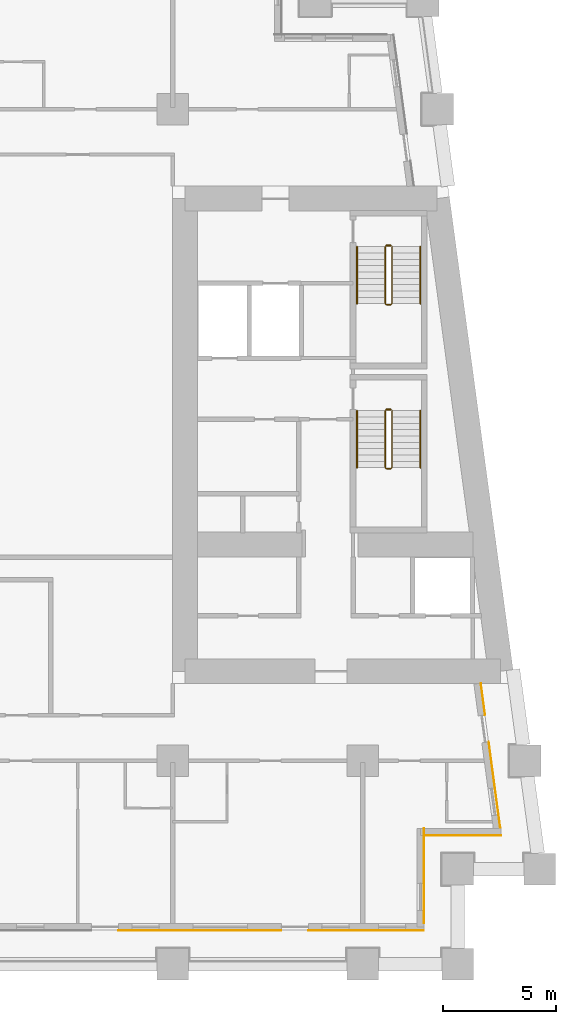
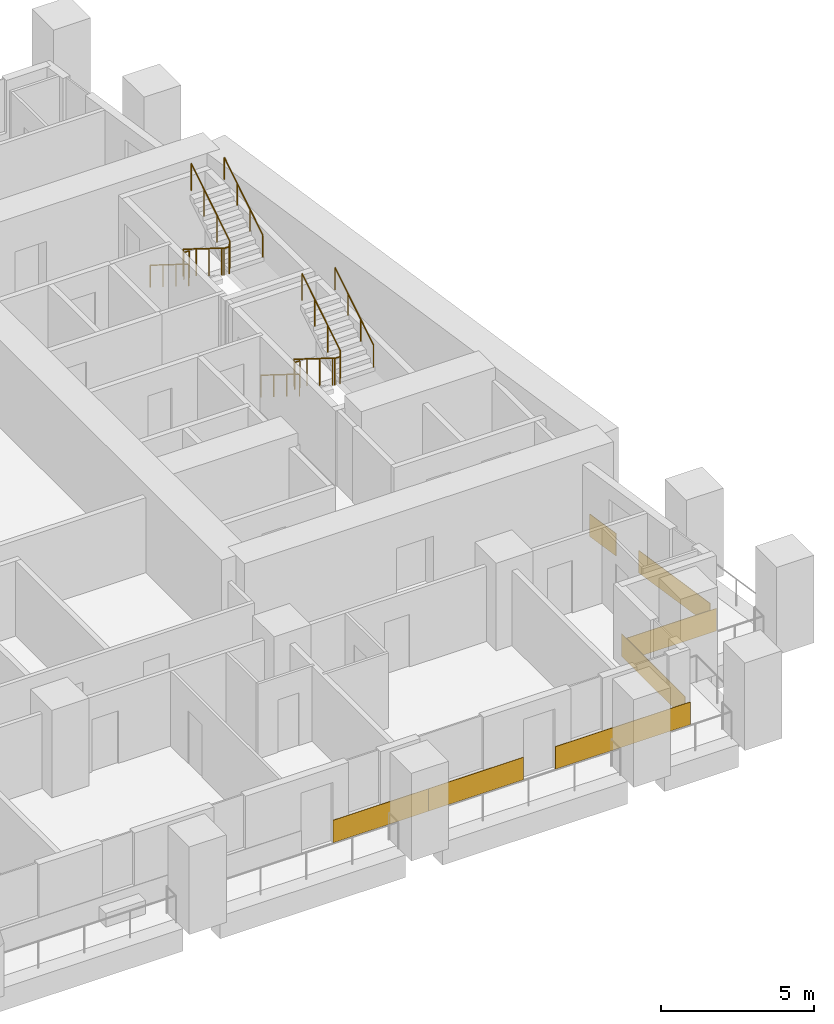
# One storey, part 10 of 12: 8 railings, 7 coverings.
"""IFC4 building model written with IfcOpenShell, lengths in metres."""

from ifc_helpers import new_model, si_unit, direction, frame, origin, origin_2d, place, context, subcontext, project, spatial, rectangle, circle, extrude, material, layer, layer_set, type_object, element, save


model = new_model("IFC4")

# Units and contexts
model_context = context("Model", 3, precision=1e-05, world=origin(), true_north=direction((0.0, 1.0)))
body_context = subcontext(model_context, "Body", "Model", "MODEL_VIEW")
ifc_project = project(units=[si_unit("LENGTHUNIT", "METRE"), si_unit("AREAUNIT", "SQUARE_METRE"), si_unit("VOLUMEUNIT", "CUBIC_METRE"), si_unit("PLANEANGLEUNIT", "RADIAN"), si_unit("MASSUNIT", "GRAM", prefix="KILO")], contexts=[model_context])

# Site, building, storey
site_placement = place(None, origin())
site = spatial("IfcSite", under=ifc_project, at=site_placement, CompositionType="ELEMENT")
building_placement = place(site_placement, origin())
building = spatial("IfcBuilding", under=site, at=building_placement, Name="Candeia Pilgrim Tower and Theatre", CompositionType="ELEMENT")
storey_placement = place(building_placement, frame((0.0, 0.0, 77.5)))
storey = spatial("IfcBuildingStorey", under=building, at=storey_placement, Name="L17", CompositionType="ELEMENT", Elevation=77.5)

# Coverings
ifc_material_1 = material(Name="Glazed ceramic tile deep red")
ifc_layer_1 = layer(ifc_material_1, 0.02001953125)
ifc_layer_set_1 = layer_set([ifc_layer_1], Name="Glazed ceramic tile deep red")
covering_type_1 = type_object("IfcCoveringType", Name="Glazed ceramic tile deep red", PredefinedType="CLADDING", material=ifc_layer_set_1)
covering_1_placement = place(storey_placement, frame((129.0, 99.489990234375, 0.0), z_axis=(0.0, 0.0, 1.0), x_axis=(1.0, 0.0, 0.0)))
element("IfcCovering", 1, at=covering_1_placement, inside=storey, type_object=covering_type_1, Name="Tile cladding deep red L17", PredefinedType="CLADDING", context=body_context, shape_type="SweptSolid", body=[
    extrude(rectangle(XDim=3.60009765625, YDim=0.02001953125, at=origin_2d()), origin(), (0.0, 0.0, 1.0), 0.89990234375),
])
covering_2_placement = place(storey_placement, frame((134.550048828125, 99.489990234375, 0.0), z_axis=(0.0, 0.0, 1.0), x_axis=(1.0, 0.0, 0.0)))
element("IfcCovering", 2, at=covering_2_placement, inside=storey, type_object=covering_type_1, Name="Tile cladding deep red L17", PredefinedType="CLADDING", context=body_context, shape_type="SweptSolid", body=[
    extrude(rectangle(XDim=5.10009765625, YDim=0.02001953125, at=origin_2d()), origin(), (0.0, 0.0, 1.0), 0.89990234375),
])
covering_3_placement = place(storey_placement, frame((137.110107421875, 101.909912109375, 0.0), z_axis=(0.0, 0.0, 1.0), x_axis=(0.0, 1.0, 0.0)))
element("IfcCovering", 3, at=covering_3_placement, inside=storey, type_object=covering_type_1, Name="Tile cladding deep red L17", PredefinedType="CLADDING", context=body_context, shape_type="SweptSolid", body=[
    extrude(rectangle(XDim=4.179931640625, YDim=0.02001953125, at=origin_2d()), origin(), (0.0, 0.0, 1.0), 0.89990234375),
])
covering_4_placement = place(storey_placement, frame((138.819580078125, 103.68994140625, 0.0), z_axis=(0.0, 0.0, 1.0), x_axis=(1.0, 0.0, 0.0)))
element("IfcCovering", 4, at=covering_4_placement, inside=storey, type_object=covering_type_1, Name="Tile cladding deep red L17", PredefinedType="CLADDING", context=body_context, shape_type="SweptSolid", body=[
    extrude(rectangle(XDim=3.399169921875, YDim=0.02001953125, at=origin_2d()), origin(), (0.0, 0.0, 1.0), 0.89990234375),
])
covering_5_placement = place(storey_placement, frame((140.228515625, 105.933349609375, 0.0), z_axis=(0.0, 0.0, 1.0), x_axis=(-0.133412012145, 0.991060661622, 0.0)))
element("IfcCovering", 5, at=covering_5_placement, inside=storey, type_object=covering_type_1, Name="Tile cladding deep red L17", PredefinedType="CLADDING", context=body_context, shape_type="SweptSolid", body=[
    extrude(rectangle(XDim=3.821044921875, YDim=0.02001953125, at=origin_2d()), origin(), (0.0, 0.0, 1.0), 0.89990234375),
])
covering_6_placement = place(storey_placement, frame((139.718994140625, 109.71875, 0.0), z_axis=(0.0, 0.0, 1.0), x_axis=(-0.133412012145, 0.991060661622, 0.0)))
element("IfcCovering", 6, at=covering_6_placement, inside=storey, type_object=covering_type_1, Name="Tile cladding deep red L17", PredefinedType="CLADDING", context=body_context, shape_type="SweptSolid", body=[
    extrude(rectangle(XDim=1.41796875, YDim=0.02001953125, at=origin_2d()), origin(), (0.0, 0.0, 1.0), 0.89990234375),
])
ifc_material_2 = material(Name="Glazed ceramic tile red")
ifc_layer_2 = layer(ifc_material_2, 0.02001953125)
ifc_layer_set_2 = layer_set([ifc_layer_2], Name="Glazed ceramic tile red")
covering_type_2 = type_object("IfcCoveringType", Name="Glazed ceramic tile red", PredefinedType="CLADDING", material=ifc_layer_set_2)
covering_7_placement = place(storey_placement, frame((125.39990234375, 99.489990234375, 0.0), z_axis=(0.0, 0.0, 1.0), x_axis=(1.0, 0.0, 0.0)))
element("IfcCovering", 7, at=covering_7_placement, inside=storey, type_object=covering_type_2, Name="Tile cladding red L17", PredefinedType="CLADDING", context=body_context, shape_type="SweptSolid", body=[
    extrude(rectangle(XDim=3.60009765625, YDim=0.02001953125, at=origin_2d()), origin(), (0.0, 0.0, 1.0), 0.89990234375),
])

# Railings
ifc_material_3 = material(Name="Stainless steel balustrade", Category="steel")
railing_type_1 = type_object("IfcRailingType", Name="RL-GUARD-1100", PredefinedType="GUARDRAIL", material=ifc_material_3)
railing_1_placement = place(storey_placement, frame((135.39794921875, 122.47509765625, 0.175048828125)))
element("IfcRailing", 8, at=railing_1_placement, inside=storey, type_object=railing_type_1, Name="L17 ST3 stair guard 1", PredefinedType="GUARDRAIL", context=body_context, shape_type="SweptSolid", body=[
    extrude(circle(Radius=0.02392578125, at=origin_2d()), frame((0.0, 0.0, 1.076171875), z_axis=(0.0, -0.848007534815, 0.529984170421), x_axis=(1.0, 0.0, 0.0)), (0.0, 0.0, 1.0), 2.9716796875),
    extrude(circle(Radius=0.02392578125, at=origin_2d()), frame((0.0, -2.52001953125, 2.65087890625), z_axis=(0.707106781187, -0.707106781187, 0.0), x_axis=(0.707106781187, 0.707106781187, 0.0)), (0.0, 0.0, 1.0), 0.07080078125),
    extrude(circle(Radius=0.02392578125, at=origin_2d()), frame((0.050048828125, -2.570068359375, 2.65087890625), z_axis=(1.0, 0.0, 0.0), x_axis=(0.0, 1.0, 0.0)), (0.0, 0.0, 1.0), 0.199951171875),
    extrude(circle(Radius=0.02392578125, at=origin_2d()), frame((0.25, -2.570068359375, 2.65087890625), z_axis=(0.265065253269, 0.265065253269, 0.927081885822), x_axis=(-0.707106781187, 0.707106781187, 0.0)), (0.0, 0.0, 1.0), 0.188720703125),
    extrude(circle(Radius=0.02392578125, at=origin_2d()), frame((0.300048828125, -2.52001953125, 2.826171875), z_axis=(0.0, 0.848007534815, 0.529984170421), x_axis=(-1.0, 0.0, 0.0)), (0.0, 0.0, 1.0), 2.9716796875),
    extrude(circle(Radius=0.02099609375, at=origin_2d()), origin(), (0.0, 0.0, 1.0), 1.052001953125),
    extrude(circle(Radius=0.02099609375, at=origin_2d()), frame((0.0, -0.840087890625, 0.52490234375)), (0.0, 0.0, 1.0), 1.052001953125),
    extrude(circle(Radius=0.02099609375, at=origin_2d()), frame((0.0, -1.679931640625, 1.050048828125)), (0.0, 0.0, 1.0), 1.052001953125),
    extrude(circle(Radius=0.02099609375, at=origin_2d()), frame((0.0, -2.52001953125, 1.574951171875)), (0.0, 0.0, 1.0), 1.052001953125),
    extrude(circle(Radius=0.02099609375, at=origin_2d()), frame((0.050048828125, -2.570068359375, 1.574951171875)), (0.0, 0.0, 1.0), 1.052001953125),
    extrude(circle(Radius=0.02099609375, at=origin_2d()), frame((0.25, -2.570068359375, 1.574951171875)), (0.0, 0.0, 1.0), 1.052001953125),
    extrude(circle(Radius=0.02099609375, at=origin_2d()), frame((0.300048828125, -2.52001953125, 1.75)), (0.0, 0.0, 1.0), 1.052001953125),
    extrude(circle(Radius=0.02099609375, at=origin_2d()), frame((0.300048828125, -1.679931640625, 2.27490234375)), (0.0, 0.0, 1.0), 1.052001953125),
    extrude(circle(Radius=0.02099609375, at=origin_2d()), frame((0.300048828125, -0.840087890625, 2.800048828125)), (0.0, 0.0, 1.0), 1.052001953125),
    extrude(circle(Radius=0.02099609375, at=origin_2d()), frame((0.300048828125, 0.0, 3.324951171875)), (0.0, 0.0, 1.0), 1.052001953125),
])
railing_2_placement = place(storey_placement, frame((135.447998046875, 122.52490234375, 0.0)))
element("IfcRailing", 9, at=railing_2_placement, inside=storey, type_object=railing_type_1, Name="L17 ST3 stair guard 2", PredefinedType="GUARDRAIL", context=body_context, shape_type="SweptSolid", body=[
    extrude(circle(Radius=0.02392578125, at=origin_2d()), frame((0.0, 0.0, 1.076171875), z_axis=(1.0, 0.0, 0.0), x_axis=(0.0, 1.0, 0.0)), (0.0, 0.0, 1.0), 0.199951171875),
    extrude(circle(Radius=0.02099609375, at=origin_2d()), origin(), (0.0, 0.0, 1.0), 1.052001953125),
    extrude(circle(Radius=0.02099609375, at=origin_2d()), frame((0.199951171875, 0.0, 0.0)), (0.0, 0.0, 1.0), 1.052001953125),
])
railing_3_placement = place(storey_placement, frame((135.39794921875, 129.72509765625, 0.175048828125)))
element("IfcRailing", 10, at=railing_3_placement, inside=storey, type_object=railing_type_1, Name="L17 ST4 stair guard 1", PredefinedType="GUARDRAIL", context=body_context, shape_type="SweptSolid", body=[
    extrude(circle(Radius=0.02392578125, at=origin_2d()), frame((0.0, 0.0, 1.076171875), z_axis=(0.0, -0.848007534815, 0.529984170421), x_axis=(1.0, 0.0, 0.0)), (0.0, 0.0, 1.0), 2.9716796875),
    extrude(circle(Radius=0.02392578125, at=origin_2d()), frame((0.0, -2.52001953125, 2.65087890625), z_axis=(0.707106781187, -0.707106781187, 0.0), x_axis=(0.707106781187, 0.707106781187, 0.0)), (0.0, 0.0, 1.0), 0.07080078125),
    extrude(circle(Radius=0.02392578125, at=origin_2d()), frame((0.050048828125, -2.570068359375, 2.65087890625), z_axis=(1.0, 0.0, 0.0), x_axis=(0.0, 1.0, 0.0)), (0.0, 0.0, 1.0), 0.199951171875),
    extrude(circle(Radius=0.02392578125, at=origin_2d()), frame((0.25, -2.570068359375, 2.65087890625), z_axis=(0.265065253269, 0.265065253269, 0.927081885822), x_axis=(-0.707106781187, 0.707106781187, 0.0)), (0.0, 0.0, 1.0), 0.188720703125),
    extrude(circle(Radius=0.02392578125, at=origin_2d()), frame((0.300048828125, -2.52001953125, 2.826171875), z_axis=(0.0, 0.848007534815, 0.529984170421), x_axis=(-1.0, 0.0, 0.0)), (0.0, 0.0, 1.0), 2.9716796875),
    extrude(circle(Radius=0.02099609375, at=origin_2d()), origin(), (0.0, 0.0, 1.0), 1.052001953125),
    extrude(circle(Radius=0.02099609375, at=origin_2d()), frame((0.0, -0.840087890625, 0.52490234375)), (0.0, 0.0, 1.0), 1.052001953125),
    extrude(circle(Radius=0.02099609375, at=origin_2d()), frame((0.0, -1.679931640625, 1.050048828125)), (0.0, 0.0, 1.0), 1.052001953125),
    extrude(circle(Radius=0.02099609375, at=origin_2d()), frame((0.0, -2.52001953125, 1.574951171875)), (0.0, 0.0, 1.0), 1.052001953125),
    extrude(circle(Radius=0.02099609375, at=origin_2d()), frame((0.050048828125, -2.570068359375, 1.574951171875)), (0.0, 0.0, 1.0), 1.052001953125),
    extrude(circle(Radius=0.02099609375, at=origin_2d()), frame((0.25, -2.570068359375, 1.574951171875)), (0.0, 0.0, 1.0), 1.052001953125),
    extrude(circle(Radius=0.02099609375, at=origin_2d()), frame((0.300048828125, -2.52001953125, 1.75)), (0.0, 0.0, 1.0), 1.052001953125),
    extrude(circle(Radius=0.02099609375, at=origin_2d()), frame((0.300048828125, -1.679931640625, 2.27490234375)), (0.0, 0.0, 1.0), 1.052001953125),
    extrude(circle(Radius=0.02099609375, at=origin_2d()), frame((0.300048828125, -0.840087890625, 2.800048828125)), (0.0, 0.0, 1.0), 1.052001953125),
    extrude(circle(Radius=0.02099609375, at=origin_2d()), frame((0.300048828125, 0.0, 3.324951171875)), (0.0, 0.0, 1.0), 1.052001953125),
])
railing_4_placement = place(storey_placement, frame((135.447998046875, 129.77490234375, 0.0)))
element("IfcRailing", 11, at=railing_4_placement, inside=storey, type_object=railing_type_1, Name="L17 ST4 stair guard 2", PredefinedType="GUARDRAIL", context=body_context, shape_type="SweptSolid", body=[
    extrude(circle(Radius=0.02392578125, at=origin_2d()), frame((0.0, 0.0, 1.076171875), z_axis=(1.0, 0.0, 0.0), x_axis=(0.0, 1.0, 0.0)), (0.0, 0.0, 1.0), 0.199951171875),
    extrude(circle(Radius=0.02099609375, at=origin_2d()), origin(), (0.0, 0.0, 1.0), 1.052001953125),
    extrude(circle(Radius=0.02099609375, at=origin_2d()), frame((0.199951171875, 0.0, 0.0)), (0.0, 0.0, 1.0), 1.052001953125),
])
ifc_material_4 = material(Name="Stainless steel handrail", Category="steel")
railing_type_2 = type_object("IfcRailingType", Name="RL-HANDRAIL-900", PredefinedType="HANDRAIL", material=ifc_material_4)
railing_5_placement = place(storey_placement, frame((134.14794921875, 122.47509765625, 0.175048828125)))
element("IfcRailing", 12, at=railing_5_placement, inside=storey, type_object=railing_type_2, Name="L17 ST3 stair handrail 1", PredefinedType="HANDRAIL", context=body_context, shape_type="SweptSolid", body=[
    extrude(circle(Radius=0.02392578125, at=origin_2d()), frame((0.0, 0.0, 0.8759765625), z_axis=(0.0, -0.848007534815, 0.529984170421), x_axis=(1.0, 0.0, 0.0)), (0.0, 0.0, 1.0), 2.9716796875),
    extrude(circle(Radius=0.02099609375, at=origin_2d()), origin(), (0.0, 0.0, 1.0), 0.851806640625),
    extrude(circle(Radius=0.02099609375, at=origin_2d()), frame((0.0, -0.840087890625, 0.52490234375)), (0.0, 0.0, 1.0), 0.851806640625),
    extrude(circle(Radius=0.02099609375, at=origin_2d()), frame((0.0, -1.679931640625, 1.050048828125)), (0.0, 0.0, 1.0), 0.851806640625),
    extrude(circle(Radius=0.02099609375, at=origin_2d()), frame((0.0, -2.52001953125, 1.574951171875)), (0.0, 0.0, 1.0), 0.851806640625),
])
railing_6_placement = place(storey_placement, frame((136.947998046875, 119.955078125, 1.925048828125)))
element("IfcRailing", 13, at=railing_6_placement, inside=storey, type_object=railing_type_2, Name="L17 ST3 stair handrail 2", PredefinedType="HANDRAIL", context=body_context, shape_type="SweptSolid", body=[
    extrude(circle(Radius=0.02392578125, at=origin_2d()), frame((0.0, 0.0, 0.8759765625), z_axis=(0.0, 0.848007534815, 0.529984170421), x_axis=(-1.0, 0.0, 0.0)), (0.0, 0.0, 1.0), 2.9716796875),
    extrude(circle(Radius=0.02099609375, at=origin_2d()), origin(), (0.0, 0.0, 1.0), 0.851806640625),
    extrude(circle(Radius=0.02099609375, at=origin_2d()), frame((0.0, 0.840087890625, 0.52490234375)), (0.0, 0.0, 1.0), 0.851806640625),
    extrude(circle(Radius=0.02099609375, at=origin_2d()), frame((0.0, 1.679931640625, 1.050048828125)), (0.0, 0.0, 1.0), 0.851806640625),
    extrude(circle(Radius=0.02099609375, at=origin_2d()), frame((0.0, 2.52001953125, 1.574951171875)), (0.0, 0.0, 1.0), 0.851806640625),
])
railing_7_placement = place(storey_placement, frame((134.14794921875, 129.72509765625, 0.175048828125)))
element("IfcRailing", 14, at=railing_7_placement, inside=storey, type_object=railing_type_2, Name="L17 ST4 stair handrail 1", PredefinedType="HANDRAIL", context=body_context, shape_type="SweptSolid", body=[
    extrude(circle(Radius=0.02392578125, at=origin_2d()), frame((0.0, 0.0, 0.8759765625), z_axis=(0.0, -0.848007534815, 0.529984170421), x_axis=(1.0, 0.0, 0.0)), (0.0, 0.0, 1.0), 2.9716796875),
    extrude(circle(Radius=0.02099609375, at=origin_2d()), origin(), (0.0, 0.0, 1.0), 0.851806640625),
    extrude(circle(Radius=0.02099609375, at=origin_2d()), frame((0.0, -0.840087890625, 0.52490234375)), (0.0, 0.0, 1.0), 0.851806640625),
    extrude(circle(Radius=0.02099609375, at=origin_2d()), frame((0.0, -1.679931640625, 1.050048828125)), (0.0, 0.0, 1.0), 0.851806640625),
    extrude(circle(Radius=0.02099609375, at=origin_2d()), frame((0.0, -2.52001953125, 1.574951171875)), (0.0, 0.0, 1.0), 0.851806640625),
])
railing_8_placement = place(storey_placement, frame((136.947998046875, 127.205078125, 1.925048828125)))
element("IfcRailing", 15, at=railing_8_placement, inside=storey, type_object=railing_type_2, Name="L17 ST4 stair handrail 2", PredefinedType="HANDRAIL", context=body_context, shape_type="SweptSolid", body=[
    extrude(circle(Radius=0.02392578125, at=origin_2d()), frame((0.0, 0.0, 0.8759765625), z_axis=(0.0, 0.848007534815, 0.529984170421), x_axis=(-1.0, 0.0, 0.0)), (0.0, 0.0, 1.0), 2.9716796875),
    extrude(circle(Radius=0.02099609375, at=origin_2d()), origin(), (0.0, 0.0, 1.0), 0.851806640625),
    extrude(circle(Radius=0.02099609375, at=origin_2d()), frame((0.0, 0.840087890625, 0.52490234375)), (0.0, 0.0, 1.0), 0.851806640625),
    extrude(circle(Radius=0.02099609375, at=origin_2d()), frame((0.0, 1.679931640625, 1.050048828125)), (0.0, 0.0, 1.0), 0.851806640625),
    extrude(circle(Radius=0.02099609375, at=origin_2d()), frame((0.0, 2.52001953125, 1.574951171875)), (0.0, 0.0, 1.0), 0.851806640625),
])

save(model, "model.ifc")
